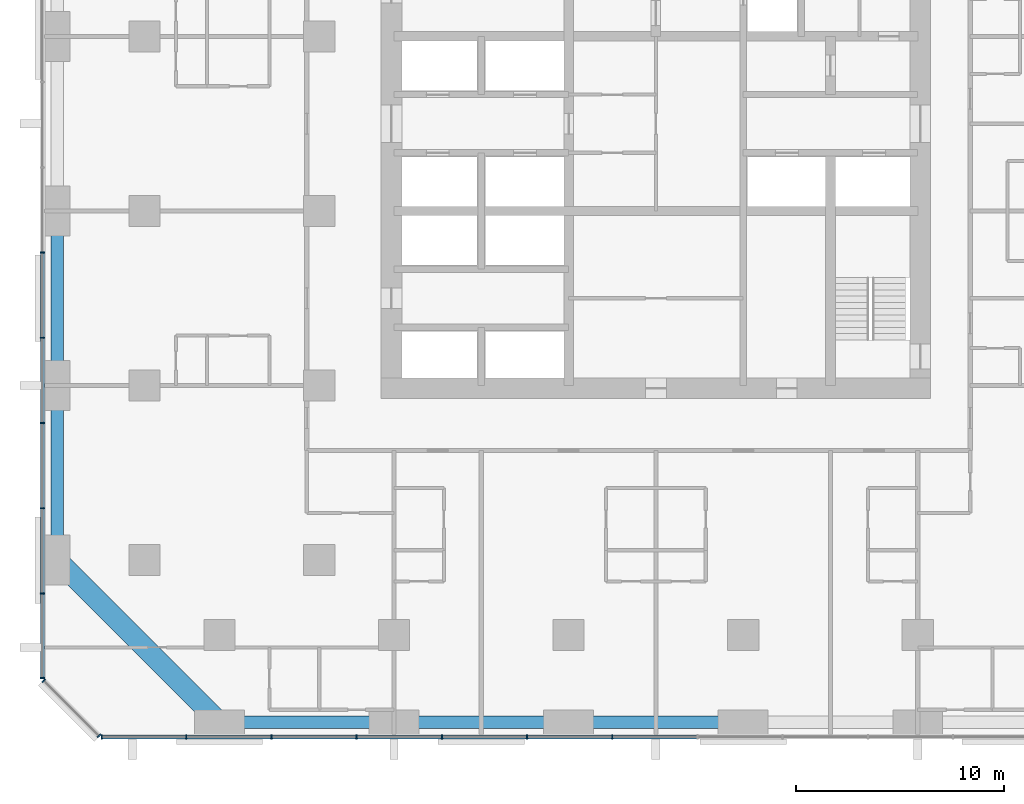
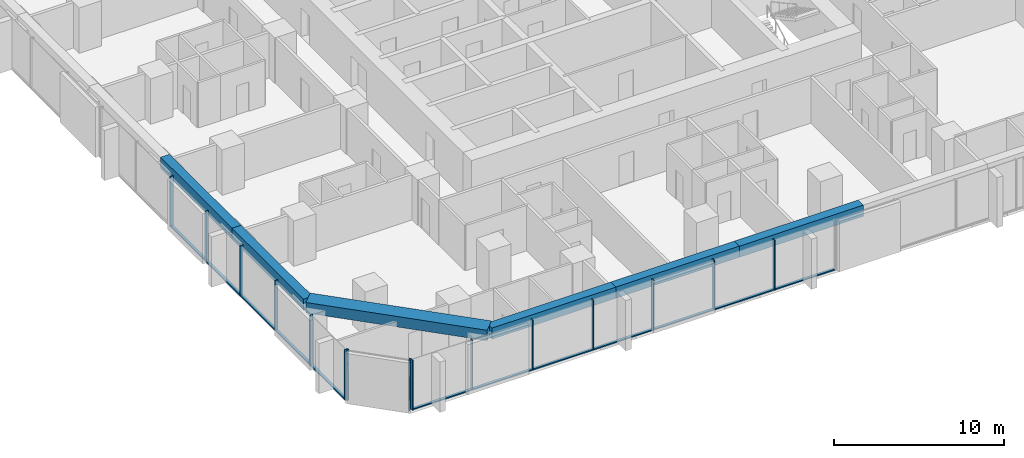
# One storey, part 2 of 14: 27 members, 6 beams, 3 elements without a shape of their own.
"""IFC4 building model written with IfcOpenShell, lengths in metres."""

import ifcopenshell
import ifcopenshell.guid

model = None  # the IFC model being written
_history = None  # IfcOwnerHistory: only IFC2X3 demands one
_inside = {}  # id of a spatial element -> (the spatial element, [elements in it])
_under = {}  # id of a project, library or spatial element -> (it, [spatial elements below it])
_declared = {}  # id of a project -> (the project, [libraries it declares])
_typed = {}  # id of a type object -> (the type object, [elements of that type])
_made_of = {}  # id of a material, layer set ... -> (it, [elements and type objects made of it])


def new_model(schema):
    """Start an empty IFC model of exactly this schema.

    Asked for "IFC4X3", IfcOpenShell would pick the latest addendum, in which some entities
    have other attributes; the version numbers below select the first issue.
    IFC2X3 requires an IfcOwnerHistory on every rooted entity: one is made here for all.
    """
    global model, _history
    if schema == "IFC4X3":
        model = ifcopenshell.file(schema_version=(4, 3, 0, 0))
    else:
        model = ifcopenshell.file(schema=schema)
    _inside.clear()
    _under.clear()
    _declared.clear()
    _typed.clear()
    _made_of.clear()
    _history = None
    if model.schema == "IFC2X3":
        org = make("IfcOrganization", Name="unknown")
        user = make(
            "IfcPersonAndOrganization",
            ThePerson=make("IfcPerson", FamilyName="unknown"),
            TheOrganization=org,
        )
        app = make(
            "IfcApplication",
            ApplicationDeveloper=org,
            Version="unknown",
            ApplicationFullName="unknown",
            ApplicationIdentifier="unknown",
        )
        _history = make(
            "IfcOwnerHistory",
            OwningUser=user,
            OwningApplication=app,
            ChangeAction="ADDED",
            CreationDate=0,
        )
    return model


def make(cls, **values):
    """One entity of the class cls with the attributes given. An attribute that is None is left unset."""
    return model.create_entity(
        cls, **{name: value for name, value in values.items() if value is not None}
    )


def rooted(cls, **values):
    """An entity with a GlobalId (a new one), such as an element, a storey or a relation."""
    return make(cls, GlobalId=ifcopenshell.guid.new(), OwnerHistory=_history, **values)


def si_unit(unit_type, name, prefix=None):
    """IfcSIUnit, for example si_unit("LENGTHUNIT", "METRE", prefix="MILLI")."""
    return make("IfcSIUnit", UnitType=unit_type, Prefix=prefix, Name=name)


def assignment(units):
    """IfcUnitAssignment: the units of a project."""
    return None if units is None else make("IfcUnitAssignment", Units=units)


def point(xyz):
    """IfcCartesianPoint."""
    return None if xyz is None else make("IfcCartesianPoint", Coordinates=xyz)


def direction(xyz):
    """IfcDirection."""
    return None if xyz is None else make("IfcDirection", DirectionRatios=xyz)


def frame(location, z_axis=None, x_axis=None):
    """IfcAxis2Placement3D, a coordinate frame: its origin and axes. An axis left out is left unset."""
    return make(
        "IfcAxis2Placement3D",
        Location=point(location),
        Axis=direction(z_axis),
        RefDirection=direction(x_axis),
    )


def frame_2d(location, x_axis=None):
    """IfcAxis2Placement2D, a coordinate frame in the plane: its origin and x axis."""
    return make(
        "IfcAxis2Placement2D", Location=point(location), RefDirection=direction(x_axis)
    )


def origin():
    """The frame at (0, 0, 0) with its axes left unset."""
    return frame((0.0, 0.0, 0.0))


def origin_2d():
    """The frame at (0, 0) in the plane with its x axis left unset."""
    return frame_2d((0.0, 0.0))


def place(relative_to, where):
    """IfcLocalPlacement: puts the frame where relative to a parent placement (None: the world)."""
    return make(
        "IfcLocalPlacement", PlacementRelTo=relative_to, RelativePlacement=where
    )


def context(
    kind, dimensions, precision=None, world=None, true_north=None, identifier=None
):
    """IfcGeometricRepresentationContext, for example the 3D "Model" context."""
    return make(
        "IfcGeometricRepresentationContext",
        ContextIdentifier=identifier,
        ContextType=kind,
        CoordinateSpaceDimension=dimensions,
        Precision=precision,
        WorldCoordinateSystem=world,
        TrueNorth=true_north,
    )


def subcontext(parent, identifier, kind, view, scale=None):
    """IfcGeometricRepresentationSubContext, for example "Body" below "Model"."""
    return make(
        "IfcGeometricRepresentationSubContext",
        ContextIdentifier=identifier,
        ContextType=kind,
        ParentContext=parent,
        TargetScale=scale,
        TargetView=view,
    )


def project(units=None, contexts=None):
    """IfcProject with its units and contexts."""
    return rooted(
        "IfcProject",
        Name="project",
        RepresentationContexts=contexts,
        UnitsInContext=assignment(units),
    )


def spatial(cls, under=None, at=None, **own):
    """A site, building, storey or space (cls), placed at a placement, below another one or the project."""
    s = rooted(cls, ObjectPlacement=at, **own)
    if under is not None:
        _under.setdefault(under.id(), (under, []))[1].append(s)
    return s


def profile(cls, at=None, kind="AREA", **sizes):
    """A parametric profile (cls). Its sizes go by their IFC names, for example OverallWidth=200.0."""
    return make(cls, ProfileType=kind, Position=at, **sizes)


def rectangle(**sizes):
    """IfcRectangleProfileDef."""
    return profile("IfcRectangleProfileDef", **sizes)


def extrude(swept, where, along, depth):
    """IfcExtrudedAreaSolid: the profile swept, set in the frame where, extruded along a direction by depth."""
    return make(
        "IfcExtrudedAreaSolid",
        SweptArea=swept,
        Position=where,
        ExtrudedDirection=direction(along),
        Depth=depth,
    )


def shape(context_of_items, identifier, shape_type, items):
    """IfcShapeRepresentation: the items that make up one representation, for example the "Body"."""
    return make(
        "IfcShapeRepresentation",
        ContextOfItems=context_of_items,
        RepresentationIdentifier=identifier,
        RepresentationType=shape_type,
        Items=items,
    )


def material(Name=None, Category=None):
    """IfcMaterial."""
    return make("IfcMaterial", Name=Name, Category=Category)


def material_profile(
    of_material, cross_section, Name=None, Category=None, Priority=None
):
    """IfcMaterialProfile: a cross section and its material."""
    return make(
        "IfcMaterialProfile",
        Name=Name,
        Material=of_material,
        Profile=cross_section,
        Priority=Priority,
        Category=Category,
    )


def profile_set(profiles, Name=None, composite=None):
    """IfcMaterialProfileSet."""
    return make(
        "IfcMaterialProfileSet",
        Name=Name,
        MaterialProfiles=profiles,
        CompositeProfile=composite,
    )


def made_of(thing, what):
    """Note that an element or type object is made of a material, layer set ...; save() writes the relation."""
    if what is not None:
        _made_of.setdefault(what.id(), (what, []))[1].append(thing)
    return thing


def type_object(cls, material=None, **own):
    """A type object (cls), such as IfcWallType, which elements share."""
    return made_of(rooted(cls, **own), material)


def element(
    cls,
    number,
    at=None,
    inside=None,
    cuts=None,
    type_object=None,
    material=None,
    context=None,
    identifier="Body",
    shape_type=None,
    held_by="IfcProductDefinitionShape",
    body=None,
    shapes=None,
    **own,
):
    """One element of the class cls, such as IfcWall. Its Tag is "e" and its number.

    at: its placement. inside: the storey or other place that contains it. cuts: it is an
    opening in that element (IfcRelVoidsElement). A single representation is given by context,
    identifier, shape_type and body (its items); several are given by shapes. held_by: the class
    of the entity that holds the representations. save() writes the other relations.
    """
    e = rooted(cls, Tag="e%d" % number, ObjectPlacement=at, **own)
    if body is not None:
        shapes = [shape(context, identifier, shape_type, body)]
    if shapes is not None:
        e.Representation = make(held_by, Representations=shapes)
    if inside is not None:
        _inside.setdefault(inside.id(), (inside, []))[1].append(e)
    if cuts is not None:
        rooted(
            "IfcRelVoidsElement", RelatingBuildingElement=cuts, RelatedOpeningElement=e
        )
    if type_object is not None:
        _typed.setdefault(type_object.id(), (type_object, []))[1].append(e)
    return made_of(e, material)


def aggregate(whole, parts):
    """IfcRelAggregates: a whole, such as a stair, and the parts it consists of."""
    return rooted("IfcRelAggregates", RelatingObject=whole, RelatedObjects=parts)


def save(model, path):
    """Write the relations noted so far, then the file.

    IfcRelAggregates (storeys below a building ...), IfcRelContainedInSpatialStructure (elements
    in a storey), IfcRelDefinesByType, IfcRelAssociatesMaterial and IfcRelDeclares: one each for
    every whole, place, type object, material and project.
    """
    for whole, parts in _under.values():
        aggregate(whole, parts)
    for where, things in _inside.values():
        rooted(
            "IfcRelContainedInSpatialStructure",
            RelatedElements=things,
            RelatingStructure=where,
        )
    for kind, things in _typed.values():
        rooted("IfcRelDefinesByType", RelatedObjects=things, RelatingType=kind)
    for what, things in _made_of.values():
        rooted("IfcRelAssociatesMaterial", RelatedObjects=things, RelatingMaterial=what)
    for by, libraries in _declared.values():
        rooted("IfcRelDeclares", RelatingContext=by, RelatedDefinitions=libraries)
    model.write(path)


model = new_model("IFC4")

# Units and contexts
model_context = context("Model", 3, precision=1e-05, world=origin(), true_north=direction((0.0, 1.0)))
body_context = subcontext(model_context, "Body", "Model", "MODEL_VIEW")
ifc_project = project(units=[si_unit("LENGTHUNIT", "METRE"), si_unit("AREAUNIT", "SQUARE_METRE"), si_unit("VOLUMEUNIT", "CUBIC_METRE"), si_unit("PLANEANGLEUNIT", "RADIAN"), si_unit("MASSUNIT", "GRAM", prefix="KILO")], contexts=[model_context])

# Site, building, storey
site_placement = place(None, origin())
site = spatial("IfcSite", under=ifc_project, at=site_placement, CompositionType="ELEMENT")
building_placement = place(site_placement, origin())
building = spatial("IfcBuilding", under=site, at=building_placement, Name="Dunama Terrace Hotel", CompositionType="ELEMENT")
storey_placement = place(building_placement, frame((0.0, 0.0, 126.0)))
storey = spatial("IfcBuildingStorey", under=building, at=storey_placement, Name="L32", CompositionType="ELEMENT", Elevation=126.0)

# Curtain wall, members
ifc_material_1 = material(Name="Aluminium curtain wall system", Category="aluminium")
curtain_wall_type = type_object("IfcCurtainWallType", Name="Unitised fritted glass wall CW-B", PredefinedType="NOTDEFINED", material=ifc_material_1)
curtain_wall_1_placement = place(storey_placement, origin())
curtain_wall_1 = element("IfcCurtainWall", 1, at=curtain_wall_1_placement, inside=storey, type_object=curtain_wall_type, Name="Unitised fritted glass wall CW-B L32", PredefinedType="NOTDEFINED")
ifc_material_2 = material(Name="Aluminium mullion", Category="aluminium")
ifc_material_profile_1 = material_profile(ifc_material_2, rectangle(XDim=0.06494140625, YDim=0.219970703125, at=origin_2d()), Name="CWB MULLION 65X220")
ifc_profile_set_1 = profile_set([ifc_material_profile_1], Name="Aluminium mullion")
member_type_1 = type_object("IfcMemberType", Name="CWB mullion 65x220", PredefinedType="MULLION", material=ifc_profile_set_1)
member_1_placement = place(storey_placement, frame((2.73291015625, -0.110107421875, 0.0), z_axis=(0.0, 0.0, 1.0), x_axis=(1.0, 0.0, 0.0)))
member_1 = element("IfcMember", 2, at=member_1_placement, type_object=member_type_1, Name="CWB mullion", PredefinedType="MULLION", context=body_context, shape_type="SweptSolid", body=[
    extrude(rectangle(XDim=0.06494140625, YDim=0.219970703125, at=origin_2d()), origin(), (0.0, 0.0, 1.0), 3.60009765625),
])
member_2_placement = place(storey_placement, frame((6.800048828125, -0.110107421875, 0.0), z_axis=(0.0, 0.0, 1.0), x_axis=(1.0, 0.0, 0.0)))
member_2 = element("IfcMember", 3, at=member_2_placement, type_object=member_type_1, Name="CWB mullion", PredefinedType="MULLION", context=body_context, shape_type="SweptSolid", body=[
    extrude(rectangle(XDim=0.06494140625, YDim=0.219970703125, at=origin_2d()), origin(), (0.0, 0.0, 1.0), 3.60009765625),
])
member_3_placement = place(storey_placement, frame((10.89990234375, -0.110107421875, 0.0), z_axis=(0.0, 0.0, 1.0), x_axis=(1.0, 0.0, 0.0)))
member_3 = element("IfcMember", 4, at=member_3_placement, type_object=member_type_1, Name="CWB mullion", PredefinedType="MULLION", context=body_context, shape_type="SweptSolid", body=[
    extrude(rectangle(XDim=0.06494140625, YDim=0.219970703125, at=origin_2d()), origin(), (0.0, 0.0, 1.0), 3.60009765625),
])
member_4_placement = place(storey_placement, frame((15.0, -0.110107421875, 0.0), z_axis=(0.0, 0.0, 1.0), x_axis=(1.0, 0.0, 0.0)))
member_4 = element("IfcMember", 5, at=member_4_placement, type_object=member_type_1, Name="CWB mullion", PredefinedType="MULLION", context=body_context, shape_type="SweptSolid", body=[
    extrude(rectangle(XDim=0.06494140625, YDim=0.219970703125, at=origin_2d()), origin(), (0.0, 0.0, 1.0), 3.60009765625),
])
member_5_placement = place(storey_placement, frame((19.10009765625, -0.110107421875, 0.0), z_axis=(0.0, 0.0, 1.0), x_axis=(1.0, 0.0, 0.0)))
member_5 = element("IfcMember", 6, at=member_5_placement, type_object=member_type_1, Name="CWB mullion", PredefinedType="MULLION", context=body_context, shape_type="SweptSolid", body=[
    extrude(rectangle(XDim=0.06494140625, YDim=0.219970703125, at=origin_2d()), origin(), (0.0, 0.0, 1.0), 3.60009765625),
])
member_6_placement = place(storey_placement, frame((23.199951171875, -0.110107421875, 0.0), z_axis=(0.0, 0.0, 1.0), x_axis=(1.0, 0.0, 0.0)))
member_6 = element("IfcMember", 7, at=member_6_placement, type_object=member_type_1, Name="CWB mullion", PredefinedType="MULLION", context=body_context, shape_type="SweptSolid", body=[
    extrude(rectangle(XDim=0.06494140625, YDim=0.219970703125, at=origin_2d()), origin(), (0.0, 0.0, 1.0), 3.60009765625),
])
member_7_placement = place(storey_placement, frame((27.300048828125, -0.110107421875, 0.0), z_axis=(0.0, 0.0, 1.0), x_axis=(1.0, 0.0, 0.0)))
member_7 = element("IfcMember", 8, at=member_7_placement, type_object=member_type_1, Name="CWB mullion", PredefinedType="MULLION", context=body_context, shape_type="SweptSolid", body=[
    extrude(rectangle(XDim=0.06494140625, YDim=0.219970703125, at=origin_2d()), origin(), (0.0, 0.0, 1.0), 3.60009765625),
])

curtain_wall_2_placement = place(storey_placement, origin())
curtain_wall_2 = element("IfcCurtainWall", 9, at=curtain_wall_2_placement, inside=storey, type_object=curtain_wall_type, Name="Unitised fritted glass wall CW-B L32", PredefinedType="NOTDEFINED")
member_8_placement = place(storey_placement, frame((-0.110107421875, 23.199951171875, 0.0), z_axis=(0.0, 0.0, 1.0), x_axis=(0.0, -1.0, 0.0)))
member_8 = element("IfcMember", 10, at=member_8_placement, type_object=member_type_1, Name="CWB mullion", PredefinedType="MULLION", context=body_context, shape_type="SweptSolid", body=[
    extrude(rectangle(XDim=0.06494140625, YDim=0.219970703125, at=origin_2d()), origin(), (0.0, 0.0, 1.0), 3.60009765625),
])
member_9_placement = place(storey_placement, frame((-0.110107421875, 19.10009765625, 0.0), z_axis=(0.0, 0.0, 1.0), x_axis=(0.0, -1.0, 0.0)))
member_9 = element("IfcMember", 11, at=member_9_placement, type_object=member_type_1, Name="CWB mullion", PredefinedType="MULLION", context=body_context, shape_type="SweptSolid", body=[
    extrude(rectangle(XDim=0.06494140625, YDim=0.219970703125, at=origin_2d()), origin(), (0.0, 0.0, 1.0), 3.60009765625),
])
member_10_placement = place(storey_placement, frame((-0.110107421875, 15.0, 0.0), z_axis=(0.0, 0.0, 1.0), x_axis=(0.0, -1.0, 0.0)))
member_10 = element("IfcMember", 12, at=member_10_placement, type_object=member_type_1, Name="CWB mullion", PredefinedType="MULLION", context=body_context, shape_type="SweptSolid", body=[
    extrude(rectangle(XDim=0.06494140625, YDim=0.219970703125, at=origin_2d()), origin(), (0.0, 0.0, 1.0), 3.60009765625),
])
member_11_placement = place(storey_placement, frame((-0.110107421875, 10.89990234375, 0.0), z_axis=(0.0, 0.0, 1.0), x_axis=(0.0, -1.0, 0.0)))
member_11 = element("IfcMember", 13, at=member_11_placement, type_object=member_type_1, Name="CWB mullion", PredefinedType="MULLION", context=body_context, shape_type="SweptSolid", body=[
    extrude(rectangle(XDim=0.06494140625, YDim=0.219970703125, at=origin_2d()), origin(), (0.0, 0.0, 1.0), 3.60009765625),
])
member_12_placement = place(storey_placement, frame((-0.110107421875, 6.800048828125, 0.0), z_axis=(0.0, 0.0, 1.0), x_axis=(0.0, -1.0, 0.0)))
member_12 = element("IfcMember", 14, at=member_12_placement, type_object=member_type_1, Name="CWB mullion", PredefinedType="MULLION", context=body_context, shape_type="SweptSolid", body=[
    extrude(rectangle(XDim=0.06494140625, YDim=0.219970703125, at=origin_2d()), origin(), (0.0, 0.0, 1.0), 3.60009765625),
])
member_13_placement = place(storey_placement, frame((-0.110107421875, 2.73291015625, 0.0), z_axis=(0.0, 0.0, 1.0), x_axis=(0.0, -1.0, 0.0)))
member_13 = element("IfcMember", 15, at=member_13_placement, type_object=member_type_1, Name="CWB mullion", PredefinedType="MULLION", context=body_context, shape_type="SweptSolid", body=[
    extrude(rectangle(XDim=0.06494140625, YDim=0.219970703125, at=origin_2d()), origin(), (0.0, 0.0, 1.0), 3.60009765625),
])

curtain_wall_3_placement = place(storey_placement, origin())
curtain_wall_3 = element("IfcCurtainWall", 16, at=curtain_wall_3_placement, inside=storey, type_object=curtain_wall_type, Name="Unitised fritted glass wall CW-B L32", PredefinedType="NOTDEFINED")
member_14_placement = place(storey_placement, frame((-0.054931640625, 2.59912109375, 0.0), z_axis=(0.0, 0.0, 1.0), x_axis=(0.707106781187, -0.707106781187, 0.0)))
member_14 = element("IfcMember", 17, at=member_14_placement, type_object=member_type_1, Name="CWB mullion", PredefinedType="MULLION", context=body_context, shape_type="SweptSolid", body=[
    extrude(rectangle(XDim=0.06494140625, YDim=0.219970703125, at=origin_2d()), origin(), (0.0, 0.0, 1.0), 3.60009765625),
])
member_15_placement = place(storey_placement, frame((2.59912109375, -0.054931640625, 0.0), z_axis=(0.0, 0.0, 1.0), x_axis=(0.707106781187, -0.707106781187, 0.0)))
member_15 = element("IfcMember", 18, at=member_15_placement, type_object=member_type_1, Name="CWB mullion", PredefinedType="MULLION", context=body_context, shape_type="SweptSolid", body=[
    extrude(rectangle(XDim=0.06494140625, YDim=0.219970703125, at=origin_2d()), origin(), (0.0, 0.0, 1.0), 3.60009765625),
])
aggregate(curtain_wall_3, [member_14, member_15])

# Member
ifc_material_3 = material(Name="Aluminium transom", Category="aluminium")
ifc_material_profile_2 = material_profile(ifc_material_3, rectangle(XDim=0.179931640625, YDim=0.080078125, at=origin_2d()), Name="CWB TRANSOM 180X80")
ifc_profile_set_2 = profile_set([ifc_material_profile_2], Name="Aluminium transom")
member_type_2 = type_object("IfcMemberType", Name="CWB transom 180x80", PredefinedType="USERDEFINED", material=ifc_profile_set_2)
member_16_placement = place(storey_placement, frame((2.764892578125, -0.110107421875, 0.0400390625), z_axis=(1.0, 0.0, 0.0), x_axis=(0.0, 1.0, 0.0)))
member_16 = element("IfcMember", 19, at=member_16_placement, type_object=member_type_2, Name="CWB transom", ObjectType="TRANSOM", PredefinedType="USERDEFINED", context=body_context, shape_type="SweptSolid", body=[
    extrude(rectangle(XDim=0.179931640625, YDim=0.080078125, at=origin_2d()), origin(), (0.0, 0.0, 1.0), 4.003173828125),
])

member_17_placement = place(storey_placement, frame((6.83203125, -0.110107421875, 0.0400390625), z_axis=(1.0, 0.0, 0.0), x_axis=(0.0, 1.0, 0.0)))
member_17 = element("IfcMember", 20, at=member_17_placement, type_object=member_type_2, Name="CWB transom", ObjectType="TRANSOM", PredefinedType="USERDEFINED", context=body_context, shape_type="SweptSolid", body=[
    extrude(rectangle(XDim=0.179931640625, YDim=0.080078125, at=origin_2d()), origin(), (0.0, 0.0, 1.0), 4.034912109375),
])

member_18_placement = place(storey_placement, frame((10.93310546875, -0.110107421875, 0.0400390625), z_axis=(1.0, 0.0, 0.0), x_axis=(0.0, 1.0, 0.0)))
member_18 = element("IfcMember", 21, at=member_18_placement, type_object=member_type_2, Name="CWB transom", ObjectType="TRANSOM", PredefinedType="USERDEFINED", context=body_context, shape_type="SweptSolid", body=[
    extrude(rectangle(XDim=0.179931640625, YDim=0.080078125, at=origin_2d()), origin(), (0.0, 0.0, 1.0), 4.033935546875),
])

member_19_placement = place(storey_placement, frame((15.031982421875, -0.110107421875, 0.0400390625), z_axis=(1.0, 0.0, 0.0), x_axis=(0.0, 1.0, 0.0)))
member_19 = element("IfcMember", 22, at=member_19_placement, type_object=member_type_2, Name="CWB transom", ObjectType="TRANSOM", PredefinedType="USERDEFINED", context=body_context, shape_type="SweptSolid", body=[
    extrude(rectangle(XDim=0.179931640625, YDim=0.080078125, at=origin_2d()), origin(), (0.0, 0.0, 1.0), 4.034912109375),
])

member_20_placement = place(storey_placement, frame((19.132080078125, -0.110107421875, 0.0400390625), z_axis=(1.0, 0.0, 0.0), x_axis=(0.0, 1.0, 0.0)))
member_20 = element("IfcMember", 23, at=member_20_placement, type_object=member_type_2, Name="CWB transom", ObjectType="TRANSOM", PredefinedType="USERDEFINED", context=body_context, shape_type="SweptSolid", body=[
    extrude(rectangle(XDim=0.179931640625, YDim=0.080078125, at=origin_2d()), origin(), (0.0, 0.0, 1.0), 4.035888671875),
])

member_21_placement = place(storey_placement, frame((23.23193359375, -0.110107421875, 0.0400390625), z_axis=(1.0, 0.0, 0.0), x_axis=(0.0, 1.0, 0.0)))
member_21 = element("IfcMember", 24, at=member_21_placement, type_object=member_type_2, Name="CWB transom", ObjectType="TRANSOM", PredefinedType="USERDEFINED", context=body_context, shape_type="SweptSolid", body=[
    extrude(rectangle(XDim=0.179931640625, YDim=0.080078125, at=origin_2d()), origin(), (0.0, 0.0, 1.0), 4.03515625),
])

member_22_placement = place(storey_placement, frame((27.33203125, -0.110107421875, 0.0400390625), z_axis=(1.0, 0.0, 0.0), x_axis=(0.0, 1.0, 0.0)))
member_22 = element("IfcMember", 25, at=member_22_placement, type_object=member_type_2, Name="CWB transom", ObjectType="TRANSOM", PredefinedType="USERDEFINED", context=body_context, shape_type="SweptSolid", body=[
    extrude(rectangle(XDim=0.179931640625, YDim=0.080078125, at=origin_2d()), origin(), (0.0, 0.0, 1.0), 4.034912109375),
])

aggregate(curtain_wall_1, [member_1, member_2, member_3, member_4, member_5, member_6, member_7, member_16, member_17, member_18, member_19, member_20, member_21, member_22])

member_23_placement = place(storey_placement, frame((-0.110107421875, 23.16796875, 0.0400390625), z_axis=(0.0, -1.0, 0.0), x_axis=(1.0, 0.0, 0.0)))
member_23 = element("IfcMember", 26, at=member_23_placement, type_object=member_type_2, Name="CWB transom", ObjectType="TRANSOM", PredefinedType="USERDEFINED", context=body_context, shape_type="SweptSolid", body=[
    extrude(rectangle(XDim=0.179931640625, YDim=0.080078125, at=origin_2d()), origin(), (0.0, 0.0, 1.0), 4.034912109375),
])

member_24_placement = place(storey_placement, frame((-0.110107421875, 19.068115234375, 0.0400390625), z_axis=(0.0, -1.0, 0.0), x_axis=(1.0, 0.0, 0.0)))
member_24 = element("IfcMember", 27, at=member_24_placement, type_object=member_type_2, Name="CWB transom", ObjectType="TRANSOM", PredefinedType="USERDEFINED", context=body_context, shape_type="SweptSolid", body=[
    extrude(rectangle(XDim=0.179931640625, YDim=0.080078125, at=origin_2d()), origin(), (0.0, 0.0, 1.0), 4.0361328125),
])

member_25_placement = place(storey_placement, frame((-0.110107421875, 14.968017578125, 0.0400390625), z_axis=(0.0, -1.0, 0.0), x_axis=(1.0, 0.0, 0.0)))
member_25 = element("IfcMember", 28, at=member_25_placement, type_object=member_type_2, Name="CWB transom", ObjectType="TRANSOM", PredefinedType="USERDEFINED", context=body_context, shape_type="SweptSolid", body=[
    extrude(rectangle(XDim=0.179931640625, YDim=0.080078125, at=origin_2d()), origin(), (0.0, 0.0, 1.0), 4.0361328125),
])

member_26_placement = place(storey_placement, frame((-0.110107421875, 10.866943359375, 0.0400390625), z_axis=(0.0, -1.0, 0.0), x_axis=(1.0, 0.0, 0.0)))
member_26 = element("IfcMember", 29, at=member_26_placement, type_object=member_type_2, Name="CWB transom", ObjectType="TRANSOM", PredefinedType="USERDEFINED", context=body_context, shape_type="SweptSolid", body=[
    extrude(rectangle(XDim=0.179931640625, YDim=0.080078125, at=origin_2d()), origin(), (0.0, 0.0, 1.0), 4.033935546875),
])

member_27_placement = place(storey_placement, frame((-0.110107421875, 6.76806640625, 0.0400390625), z_axis=(0.0, -1.0, 0.0), x_axis=(1.0, 0.0, 0.0)))
member_27 = element("IfcMember", 30, at=member_27_placement, type_object=member_type_2, Name="CWB transom", ObjectType="TRANSOM", PredefinedType="USERDEFINED", context=body_context, shape_type="SweptSolid", body=[
    extrude(rectangle(XDim=0.179931640625, YDim=0.080078125, at=origin_2d()), origin(), (0.0, 0.0, 1.0), 4.003173828125),
])

aggregate(curtain_wall_2, [member_8, member_9, member_10, member_11, member_12, member_13, member_23, member_24, member_25, member_26, member_27])

# Beams
ifc_material_4 = material(Name="Concrete C50/60", Category="concrete")
ifc_material_profile_3 = material_profile(ifc_material_4, rectangle(XDim=1.0, YDim=0.75, at=origin_2d()), Name="RC 1000x750")
ifc_profile_set_3 = profile_set([ifc_material_profile_3], Name="Concrete C50/60")
beam_type_1 = type_object("IfcBeamType", Name="Edge beam RC 1000x750", PredefinedType="SPANDREL", material=ifc_profile_set_3)
beam_1_placement = place(storey_placement, frame((8.39990234375, 0.60009765625, 3.22509765625), z_axis=(-0.707106781187, 0.707106781187, 0.0), x_axis=(-0.707106781187, -0.707106781187, 0.0)))
element("IfcBeam", 31, at=beam_1_placement, inside=storey, type_object=beam_type_1, Name="Corner edge beam under L33", PredefinedType="SPANDREL", context=body_context, shape_type="SweptSolid", body=[
    extrude(rectangle(XDim=1.0, YDim=0.75, at=origin_2d()), origin(), (0.0, 0.0, 1.0), 11.030517578125),
])
ifc_material_5 = material(Name="Concrete C40/50", Category="concrete")
ifc_material_profile_4 = material_profile(ifc_material_5, rectangle(XDim=0.60009765625, YDim=0.800048828125, at=origin_2d()), Name="RC 600x800")
ifc_profile_set_4 = profile_set([ifc_material_profile_4], Name="Concrete C40/50")
beam_type_2 = type_object("IfcBeamType", Name="Edge beam RC 600x800", PredefinedType="SPANDREL", material=ifc_profile_set_4)
beam_2_placement = place(storey_placement, frame((0.60009765625, 8.39990234375, 3.199951171875), z_axis=(0.0, 1.0, 0.0), x_axis=(-1.0, 0.0, 0.0)))
element("IfcBeam", 32, at=beam_2_placement, inside=storey, type_object=beam_type_2, Name="Edge beam under L33", PredefinedType="SPANDREL", context=body_context, shape_type="SweptSolid", body=[
    extrude(rectangle(XDim=0.60009765625, YDim=0.800048828125, at=origin_2d()), origin(), (0.0, 0.0, 1.0), 8.400146484375),
])
beam_3_placement = place(storey_placement, frame((0.60009765625, 16.800048828125, 3.199951171875), z_axis=(0.0, 1.0, 0.0), x_axis=(-1.0, 0.0, 0.0)))
element("IfcBeam", 33, at=beam_3_placement, inside=storey, type_object=beam_type_2, Name="Edge beam under L33", PredefinedType="SPANDREL", context=body_context, shape_type="SweptSolid", body=[
    extrude(rectangle(XDim=0.60009765625, YDim=0.800048828125, at=origin_2d()), origin(), (0.0, 0.0, 1.0), 8.39990234375),
])
beam_4_placement = place(storey_placement, frame((8.39990234375, 0.60009765625, 3.199951171875), z_axis=(1.0, 0.0, 0.0), x_axis=(0.0, 1.0, 0.0)))
element("IfcBeam", 34, at=beam_4_placement, inside=storey, type_object=beam_type_2, Name="Edge beam under L33", PredefinedType="SPANDREL", context=body_context, shape_type="SweptSolid", body=[
    extrude(rectangle(XDim=0.60009765625, YDim=0.800048828125, at=origin_2d()), origin(), (0.0, 0.0, 1.0), 8.400146484375),
])
beam_5_placement = place(storey_placement, frame((16.800048828125, 0.60009765625, 3.199951171875), z_axis=(1.0, 0.0, 0.0), x_axis=(0.0, 1.0, 0.0)))
element("IfcBeam", 35, at=beam_5_placement, inside=storey, type_object=beam_type_2, Name="Edge beam under L33", PredefinedType="SPANDREL", context=body_context, shape_type="SweptSolid", body=[
    extrude(rectangle(XDim=0.60009765625, YDim=0.800048828125, at=origin_2d()), origin(), (0.0, 0.0, 1.0), 8.39990234375),
])
beam_6_placement = place(storey_placement, frame((25.199951171875, 0.60009765625, 3.199951171875), z_axis=(1.0, 0.0, 0.0), x_axis=(0.0, 1.0, 0.0)))
element("IfcBeam", 36, at=beam_6_placement, inside=storey, type_object=beam_type_2, Name="Edge beam under L33", PredefinedType="SPANDREL", context=body_context, shape_type="SweptSolid", body=[
    extrude(rectangle(XDim=0.60009765625, YDim=0.800048828125, at=origin_2d()), origin(), (0.0, 0.0, 1.0), 8.400146484375),
])

save(model, "model.ifc")
